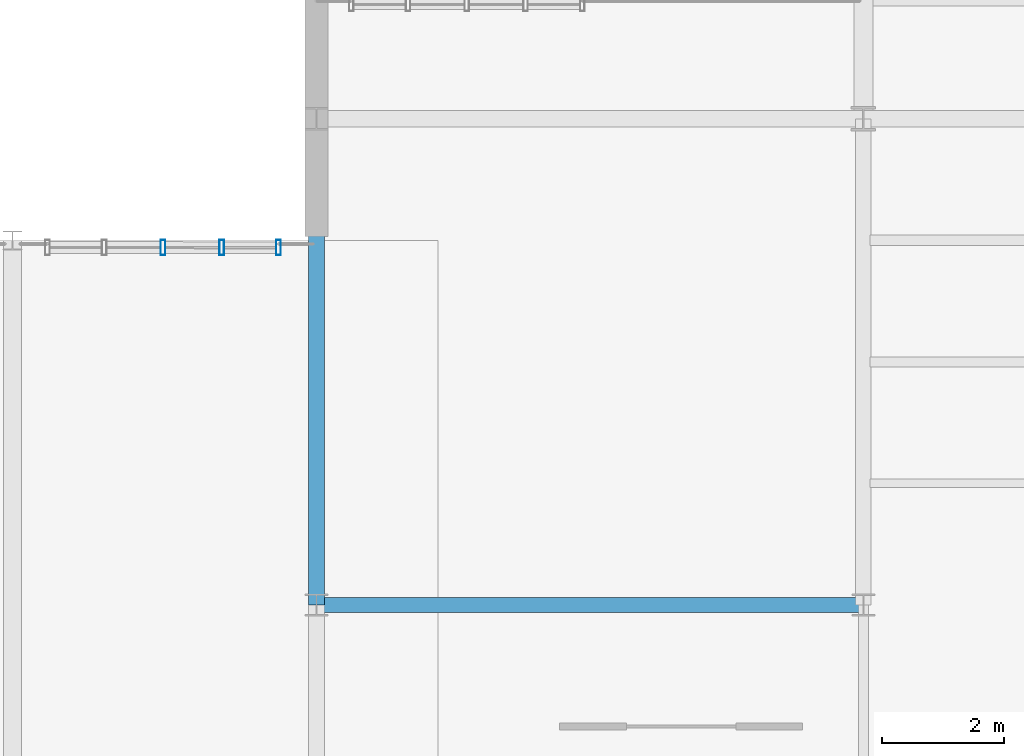
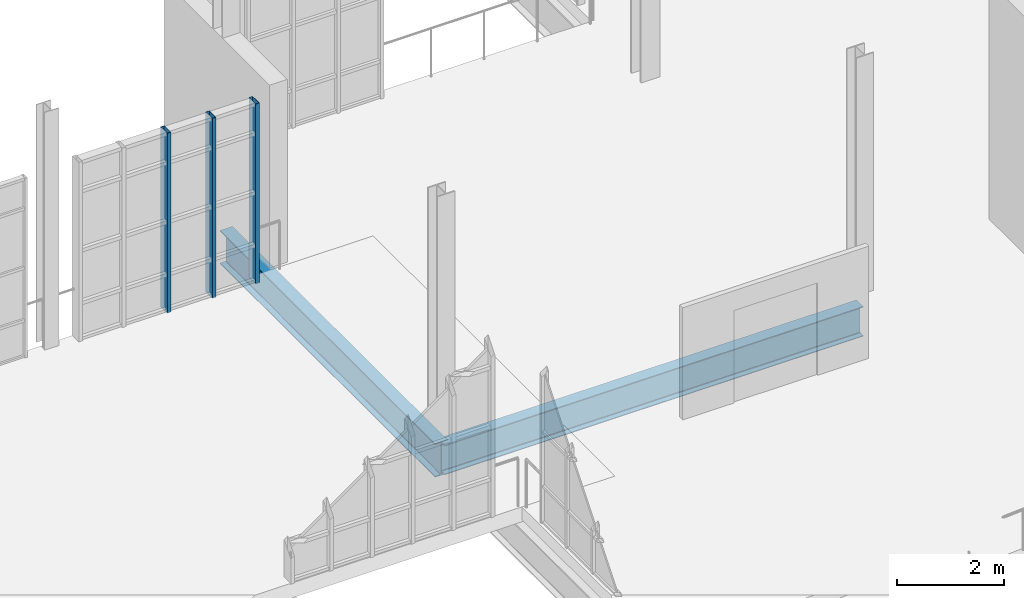
# One storey, part 54 of 189: 3 members, 2 beams, 1 element without a shape of its own.
"""IFC4 building model written with IfcOpenShell, lengths in metres."""

from ifc_helpers import new_model, si_unit, direction, frame, origin, origin_2d, place, context, subcontext, project, spatial, hollow_rectangle, i_section, extrude, material, layer, layer_set, material_profile, profile_set, type_object, element, aggregate, save


model = new_model("IFC4")

# Units and contexts
model_context = context("Model", 3, precision=1e-05, world=origin(), true_north=direction((0.0, 1.0)))
body_context = subcontext(model_context, "Body", "Model", "MODEL_VIEW")
ifc_project = project(units=[si_unit("LENGTHUNIT", "METRE"), si_unit("AREAUNIT", "SQUARE_METRE"), si_unit("VOLUMEUNIT", "CUBIC_METRE"), si_unit("PLANEANGLEUNIT", "RADIAN"), si_unit("MASSUNIT", "GRAM", prefix="KILO"), si_unit("THERMODYNAMICTEMPERATUREUNIT", "KELVIN"), si_unit("POWERUNIT", "WATT")], contexts=[model_context])

# Site, building, storey
site_placement = place(None, origin())
site = spatial("IfcSite", under=ifc_project, at=site_placement, CompositionType="ELEMENT")
building_placement = place(site_placement, origin())
building = spatial("IfcBuilding", under=site, at=building_placement, Name="Zelmaris Science Centre", CompositionType="ELEMENT")
storey_placement = place(building_placement, origin())
storey = spatial("IfcBuildingStorey", under=building, at=storey_placement, Name="L00", CompositionType="ELEMENT", Elevation=0.0)

# Curtain wall, members
ifc_material_1 = material(Name="Anodised architectural aluminium 6063-T6", Category="aluminium")
ifc_layer = layer(ifc_material_1, 0.18994140625, Name="Anodised architectural aluminium 6063-T6")
ifc_layer_set = layer_set([ifc_layer], Name="Anodised architectural aluminium 6063-T6")
curtain_wall_type = type_object("IfcCurtainWallType", Name="Curtain Wall CW-01", PredefinedType="USERDEFINED", material=ifc_layer_set)
curtain_wall_placement = place(storey_placement, origin())
curtain_wall = element("IfcCurtainWall", 1, at=curtain_wall_placement, inside=storey, type_object=curtain_wall_type, Name="L00 Unitised curtain wall 65", ObjectType="GLAZED CURTAIN WALL", PredefinedType="USERDEFINED")
ifc_material_profile_1 = material_profile(ifc_material_1, hollow_rectangle(XDim=0.080078125, YDim=0.25, WallThickness=0.0048828125, at=origin_2d()), Name="ALU-MUL-80X250")
ifc_profile_set_1 = profile_set([ifc_material_profile_1], Name="Anodised architectural aluminium 6063-T6")
member_type = type_object("IfcMemberType", Name="ALU-MUL-80X250", PredefinedType="MULLION", material=ifc_profile_set_1)
member_1_placement = place(storey_placement, frame((105.475830078125, 29.882080078125, -0.014892578125), z_axis=(0.0, 0.0, 1.0), x_axis=(0.999999940891, -0.000343829856, 0.0)))
member_1 = element("IfcMember", 2, at=member_1_placement, type_object=member_type, Name="CW-01 mullion 3", PredefinedType="MULLION", context=body_context, shape_type="SweptSolid", body=[
    extrude(hollow_rectangle(XDim=0.080078125, YDim=0.25, WallThickness=0.0048828125, at=origin_2d()), origin(), (0.0, 0.0, 1.0), 4.0888671875),
])
member_2_placement = place(storey_placement, frame((106.44384765625, 29.881591796875, -0.014892578125), z_axis=(0.0, 0.0, 1.0), x_axis=(0.999999940891, -0.000343829856, 0.0)))
member_2 = element("IfcMember", 3, at=member_2_placement, type_object=member_type, Name="CW-01 mullion 4", PredefinedType="MULLION", context=body_context, shape_type="SweptSolid", body=[
    extrude(hollow_rectangle(XDim=0.080078125, YDim=0.25, WallThickness=0.0048828125, at=origin_2d()), origin(), (0.0, 0.0, 1.0), 4.0888671875),
])
member_3_placement = place(storey_placement, frame((107.375732421875, 29.88134765625, -0.014892578125), z_axis=(0.0, 0.0, 1.0), x_axis=(0.999999940891, -0.000343829856, 0.0)))
member_3 = element("IfcMember", 4, at=member_3_placement, type_object=member_type, Name="CW-01 mullion 5", PredefinedType="MULLION", context=body_context, shape_type="SweptSolid", body=[
    extrude(hollow_rectangle(XDim=0.080078125, YDim=0.25, WallThickness=0.0048828125, at=origin_2d()), origin(), (0.0, 0.0, 1.0), 4.0888671875),
])
aggregate(curtain_wall, [member_1, member_2, member_3])

# Beams
ifc_material_2 = material(Name="Steel ASTM A992 Grade 50", Category="steel")
ifc_material_profile_2 = material_profile(ifc_material_2, i_section(OverallWidth=0.26708984375, OverallDepth=0.761962890625, WebThickness=0.014404296875, FlangeThickness=0.021484375, FilletRadius=0.01904296875, at=origin_2d()), Name="W30X116")
ifc_profile_set_2 = profile_set([ifc_material_profile_2], Name="Steel ASTM A992 Grade 50")
beam_type_1 = type_object("IfcBeamType", Name="Beam G-33 W30X116", PredefinedType="BEAM", material=ifc_profile_set_2)
beam_1_placement = place(storey_placement, frame((108.0, 24.0, -0.720947265625), z_axis=(0.0, 1.0, 0.0), x_axis=(-1.0, 0.0, 0.0)))
element("IfcBeam", 5, at=beam_1_placement, inside=storey, type_object=beam_type_1, Name="L00 North-south girder 53", PredefinedType="BEAM", context=body_context, shape_type="SweptSolid", body=[
    extrude(i_section(OverallWidth=0.26708984375, OverallDepth=0.761962890625, WebThickness=0.014404296875, FlangeThickness=0.021484375, FilletRadius=0.01904296875, at=origin_2d()), origin(), (0.0, 0.0, 1.0), 8.0),
])
ifc_material_profile_3 = material_profile(ifc_material_2, i_section(OverallWidth=0.25390625, OverallDepth=0.677978515625, WebThickness=0.01171875, FlangeThickness=0.016357421875, FilletRadius=0.01806640625, at=origin_2d()), Name="W27X84")
ifc_profile_set_3 = profile_set([ifc_material_profile_3], Name="Steel ASTM A992 Grade 50")
beam_type_2 = type_object("IfcBeamType", Name="Beam G-36 W27X84", PredefinedType="BEAM", material=ifc_profile_set_3)
beam_2_placement = place(storey_placement, frame((108.0, 24.0, -0.678955078125), z_axis=(1.0, 0.0, 0.0), x_axis=(0.0, 1.0, 0.0)))
element("IfcBeam", 6, at=beam_2_placement, inside=storey, type_object=beam_type_2, Name="L00 East-west girder 118", PredefinedType="BEAM", context=body_context, shape_type="SweptSolid", body=[
    extrude(i_section(OverallWidth=0.25390625, OverallDepth=0.677978515625, WebThickness=0.01171875, FlangeThickness=0.016357421875, FilletRadius=0.01806640625, at=origin_2d()), origin(), (0.0, 0.0, 1.0), 9.0),
])

save(model, "model.ifc")
